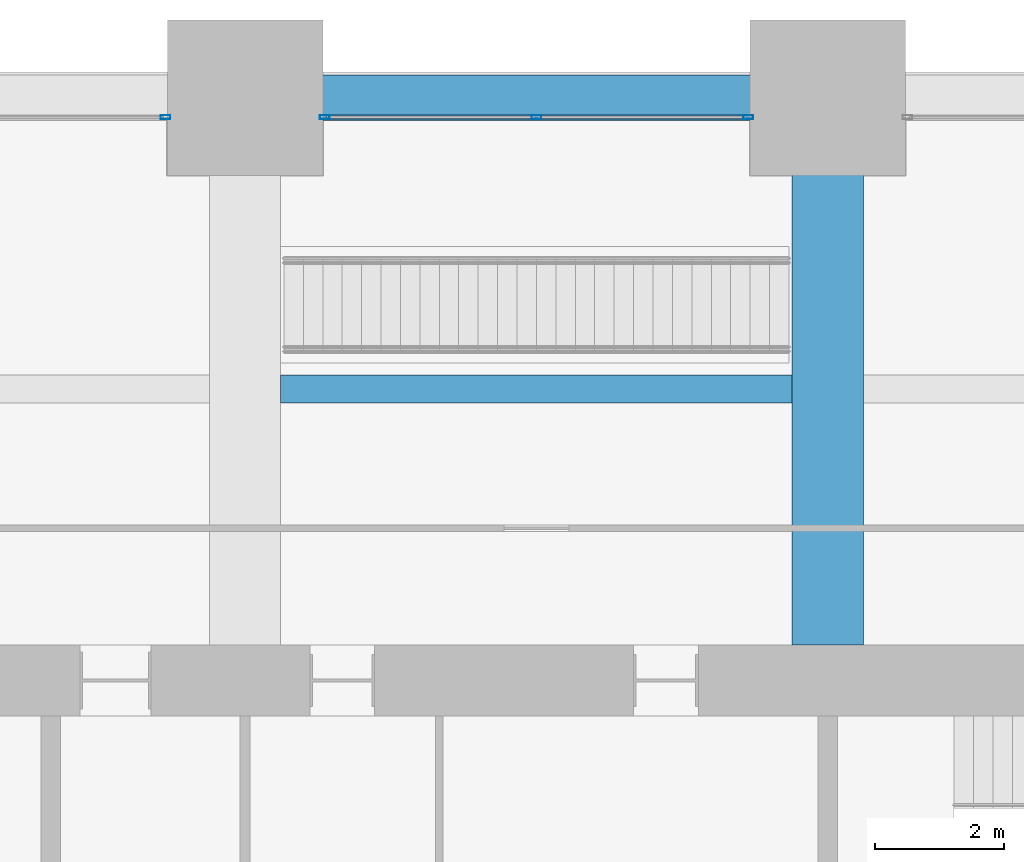
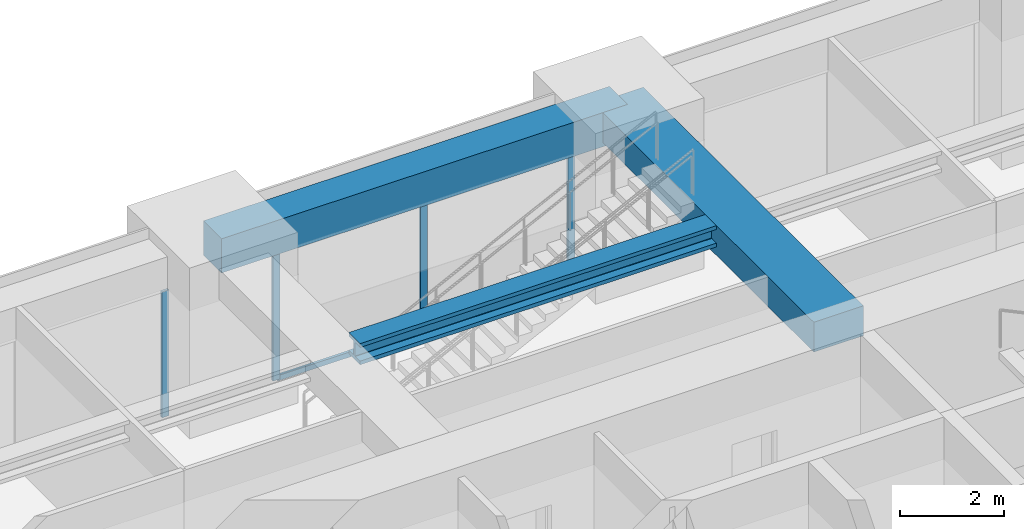
# One storey, part 25 of 34: 5 members, 3 beams, 2 elements without a shape of their own.
"""IFC4 building model written with IfcOpenShell, lengths in metres."""

from ifc_helpers import new_model, si_unit, direction, frame, origin, origin_2d, place, context, subcontext, project, spatial, rectangle, hollow_rectangle, i_section, extrude, material, material_profile, profile_set, type_object, element, aggregate, save


model = new_model("IFC4")

# Units and contexts
model_context = context("Model", 3, precision=1e-05, world=origin(), true_north=direction((0.0, 1.0)))
body_context = subcontext(model_context, "Body", "Model", "MODEL_VIEW")
ifc_project = project(units=[si_unit("LENGTHUNIT", "METRE"), si_unit("AREAUNIT", "SQUARE_METRE"), si_unit("VOLUMEUNIT", "CUBIC_METRE"), si_unit("PLANEANGLEUNIT", "RADIAN"), si_unit("MASSUNIT", "GRAM", prefix="KILO")], contexts=[model_context])

# Site, building, storey
site_placement = place(None, origin())
site = spatial("IfcSite", under=ifc_project, at=site_placement, CompositionType="ELEMENT")
building_placement = place(site_placement, origin())
building = spatial("IfcBuilding", under=site, at=building_placement, Name="Zorevar Civic Tower", CompositionType="ELEMENT")
storey_placement = place(building_placement, frame((0.0, 0.0, 214.199951171875)))
storey = spatial("IfcBuildingStorey", under=building, at=storey_placement, Name="L52", CompositionType="ELEMENT", Elevation=214.199951171875)

# Beam
ifc_material_1 = material(Name="Concrete C50/60", Category="concrete")
ifc_material_profile_1 = material_profile(ifc_material_1, rectangle(XDim=1.10009765625, YDim=0.699951171875, at=origin_2d()), Name="RC 1100x700")
ifc_profile_set_1 = profile_set([ifc_material_profile_1], Name="Concrete C50/60")
beam_type_1 = type_object("IfcBeamType", Name="Beam RC 1100x700", PredefinedType="BEAM", material=ifc_profile_set_1)
beam_1_placement = place(storey_placement, frame((36.0, 36.550048828125, 3.400146484375), z_axis=(0.0, 1.0, 0.0), x_axis=(-1.0, 0.0, 0.0)))
element("IfcBeam", 1, at=beam_1_placement, inside=storey, type_object=beam_type_1, Name="Girder L53", PredefinedType="BEAM", context=body_context, shape_type="SweptSolid", body=[
    extrude(rectangle(XDim=1.10009765625, YDim=0.699951171875, at=origin_2d()), origin(), (0.0, 0.0, 1.0), 8.449951171875),
])

# Curtain wall, member
ifc_material_2 = material(Name="Dark grey solar-control glass in black aluminium frame", Category="aluminium")
curtain_wall_type = type_object("IfcCurtainWallType", Name="Curtain wall CW4 high zone", PredefinedType="NOTDEFINED", material=ifc_material_2)
curtain_wall_1_placement = place(storey_placement, origin())
curtain_wall_1 = element("IfcCurtainWall", 2, at=curtain_wall_1_placement, inside=storey, type_object=curtain_wall_type, Name="CW4 L52", PredefinedType="NOTDEFINED")
ifc_material_3 = material(Name="Aluminium, black anodised", Category="aluminium")
ifc_material_profile_2 = material_profile(ifc_material_3, hollow_rectangle(XDim=0.06005859375, YDim=0.14990234375, WallThickness=0.00390625, at=origin_2d()), Name="AL 150x60x4")
ifc_profile_set_2 = profile_set([ifc_material_profile_2], Name="Aluminium, black anodised")
member_type_1 = type_object("IfcMemberType", Name="CW4 mullion AL 150x60x4", PredefinedType="MULLION", material=ifc_profile_set_2)
member_1_placement = place(storey_placement, frame((25.77001953125, 44.699951171875, 0.0), z_axis=(0.0, 0.0, 1.0), x_axis=(0.0, 1.0, 0.0)))
member_1 = element("IfcMember", 3, at=member_1_placement, type_object=member_type_1, Name="CW4 mullion 3", PredefinedType="MULLION", context=body_context, shape_type="SweptSolid", body=[
    extrude(hollow_rectangle(XDim=0.06005859375, YDim=0.14990234375, WallThickness=0.00390625, at=origin_2d()), origin(), (0.0, 0.0, 1.0), 2.949951171875),
])
aggregate(curtain_wall_1, [member_1])

# Curtain wall, members
curtain_wall_2_placement = place(storey_placement, origin())
curtain_wall_2 = element("IfcCurtainWall", 4, at=curtain_wall_2_placement, inside=storey, type_object=curtain_wall_type, Name="CW4 L52", PredefinedType="NOTDEFINED")
member_2_placement = place(storey_placement, frame((28.22998046875, 44.699951171875, 0.0), z_axis=(0.0, 0.0, 1.0), x_axis=(0.0, 1.0, 0.0)))
member_2 = element("IfcMember", 5, at=member_2_placement, type_object=member_type_1, Name="CW4 mullion 1", PredefinedType="MULLION", context=body_context, shape_type="SweptSolid", body=[
    extrude(hollow_rectangle(XDim=0.06005859375, YDim=0.14990234375, WallThickness=0.00390625, at=origin_2d()), origin(), (0.0, 0.0, 1.0), 2.949951171875),
])
member_3_placement = place(storey_placement, frame((31.5, 44.699951171875, 0.06005859375), z_axis=(0.0, 0.0, 1.0), x_axis=(0.0, 1.0, 0.0)))
member_3 = element("IfcMember", 6, at=member_3_placement, type_object=member_type_1, Name="CW4 mullion 2", PredefinedType="MULLION", context=body_context, shape_type="SweptSolid", body=[
    extrude(hollow_rectangle(XDim=0.06005859375, YDim=0.14990234375, WallThickness=0.00390625, at=origin_2d()), origin(), (0.0, 0.0, 1.0), 2.889892578125),
])
member_4_placement = place(storey_placement, frame((34.77001953125, 44.699951171875, 0.0), z_axis=(0.0, 0.0, 1.0), x_axis=(0.0, 1.0, 0.0)))
member_4 = element("IfcMember", 7, at=member_4_placement, type_object=member_type_1, Name="CW4 mullion 3", PredefinedType="MULLION", context=body_context, shape_type="SweptSolid", body=[
    extrude(hollow_rectangle(XDim=0.06005859375, YDim=0.14990234375, WallThickness=0.00390625, at=origin_2d()), origin(), (0.0, 0.0, 1.0), 2.949951171875),
])
ifc_material_4 = material(Name="Aluminium, black anodised", Category="aluminium")
ifc_material_profile_3 = material_profile(ifc_material_4, hollow_rectangle(XDim=0.06005859375, YDim=0.1201171875, WallThickness=0.0029296875, at=origin_2d()), Name="AL 120x60x3")
ifc_profile_set_3 = profile_set([ifc_material_profile_3], Name="Aluminium, black anodised")
member_type_2 = type_object("IfcMemberType", Name="CW4 transom AL 120x60x3", PredefinedType="USERDEFINED", material=ifc_profile_set_3)
member_5_placement = place(storey_placement, frame((28.260009765625, 44.699951171875, 0.030029296875), z_axis=(1.0, 0.0, 0.0), x_axis=(0.0, 1.0, 0.0)))
member_5 = element("IfcMember", 8, at=member_5_placement, type_object=member_type_2, Name="CW4 sill transom", ObjectType="TRANSOM", PredefinedType="USERDEFINED", context=body_context, shape_type="SweptSolid", body=[
    extrude(hollow_rectangle(XDim=0.06005859375, YDim=0.1201171875, WallThickness=0.0029296875, at=origin_2d()), origin(), (0.0, 0.0, 1.0), 6.47998046875),
])
aggregate(curtain_wall_2, [member_2, member_3, member_4, member_5])

# Beams
ifc_material_5 = material(Name="Steel S460M (HISTAR 460)", Category="steel")
ifc_material_profile_4 = material_profile(ifc_material_5, i_section(OverallWidth=0.431884765625, OverallDepth=0.498046875, WebThickness=0.0556640625, FlangeThickness=0.0888671875, FilletRadius=0.014892578125, at=origin_2d()), Name="HD 400x744")
ifc_profile_set_4 = profile_set([ifc_material_profile_4], Name="Steel S460M (HISTAR 460)")
beam_type_2 = type_object("IfcBeamType", Name="Core bay beam HD 400x744", PredefinedType="BEAM", material=ifc_profile_set_4)
beam_2_placement = place(storey_placement, frame((27.550048828125, 40.5, 3.5009765625), z_axis=(1.0, 0.0, 0.0), x_axis=(0.0, 1.0, 0.0)))
element("IfcBeam", 9, at=beam_2_placement, inside=storey, type_object=beam_type_2, Name="Secondary beam L53", PredefinedType="BEAM", context=body_context, shape_type="SweptSolid", body=[
    extrude(i_section(OverallWidth=0.431884765625, OverallDepth=0.498046875, WebThickness=0.0556640625, FlangeThickness=0.0888671875, FilletRadius=0.014892578125, at=origin_2d()), origin(), (0.0, 0.0, 1.0), 7.89990234375),
])
ifc_material_6 = material(Name="Concrete C50/60", Category="concrete")
ifc_material_profile_5 = material_profile(ifc_material_6, rectangle(XDim=0.699951171875, YDim=0.800048828125, at=origin_2d()), Name="RC 700x800")
ifc_profile_set_5 = profile_set([ifc_material_profile_5], Name="Concrete C50/60")
beam_type_3 = type_object("IfcBeamType", Name="Edge beam RC 700x800", PredefinedType="SPANDREL", material=ifc_profile_set_5)
beam_3_placement = place(storey_placement, frame((27.0, 45.0, 3.35009765625), z_axis=(1.0, 0.0, 0.0), x_axis=(0.0, 1.0, 0.0)))
element("IfcBeam", 10, at=beam_3_placement, inside=storey, type_object=beam_type_3, Name="Edge beam L53", PredefinedType="SPANDREL", context=body_context, shape_type="SweptSolid", body=[
    extrude(rectangle(XDim=0.699951171875, YDim=0.800048828125, at=origin_2d()), origin(), (0.0, 0.0, 1.0), 9.0),
])

save(model, "model.ifc")
